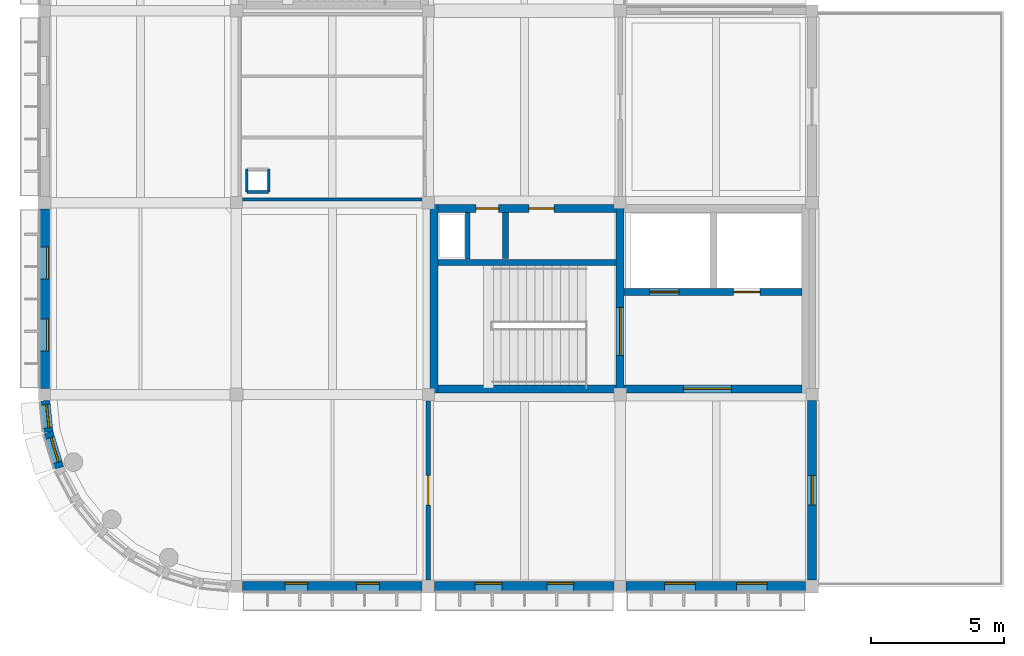
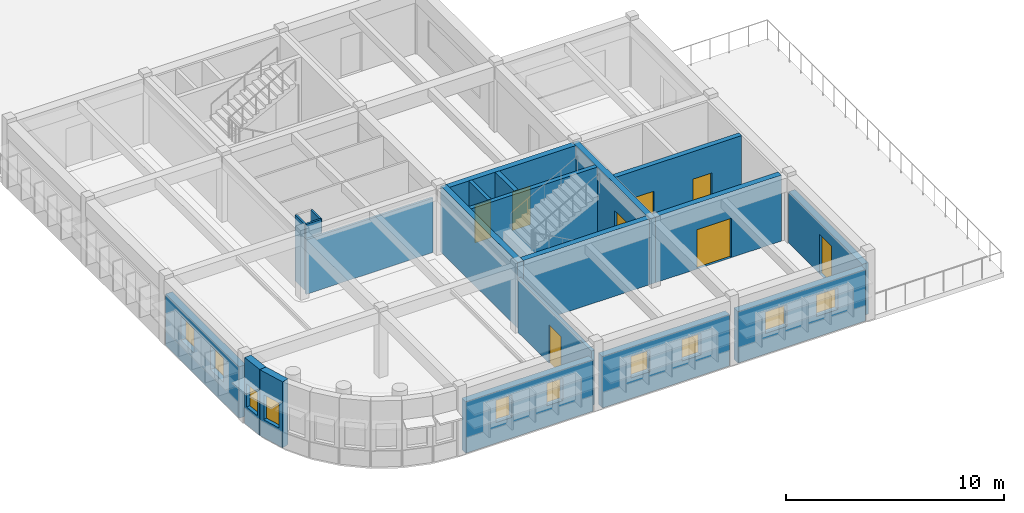
# One storey, part 3 of 7: 21 walls, 10 windows, 8 doors, 18 openings.
"""IFC4 building model written with IfcOpenShell, lengths in metres."""

from ifc_helpers import new_model, si_unit, direction, frame, frame_2d, origin, place, context, subcontext, project, spatial, rectangle, extrude, material, layer, layer_set, type_object, element, fill, save


model = new_model("IFC4")

# Units and contexts
model_context = context("Model", 3, precision=1e-05, world=origin(), true_north=direction((0.0, 1.0)))
body_context = subcontext(model_context, "Body", "Model", "MODEL_VIEW")
ifc_project = project(units=[si_unit("LENGTHUNIT", "METRE"), si_unit("AREAUNIT", "SQUARE_METRE"), si_unit("VOLUMEUNIT", "CUBIC_METRE"), si_unit("PLANEANGLEUNIT", "RADIAN"), si_unit("MASSUNIT", "GRAM", prefix="KILO")], contexts=[model_context])

# Site, building, storey
site_placement = place(None, origin())
site = spatial("IfcSite", under=ifc_project, at=site_placement, CompositionType="ELEMENT")
building_placement = place(site_placement, origin())
building = spatial("IfcBuilding", under=site, at=building_placement, Name="Thalmaran Polytechnic", CompositionType="ELEMENT")
storey_placement = place(building_placement, frame((0.0, 0.0, 30.60009765625)))
storey = spatial("IfcBuildingStorey", under=building, at=storey_placement, Name="L07", CompositionType="ELEMENT", Elevation=30.60009765625)

# Wall, opening, window
ifc_material_1 = material(Name="Precast concrete C40/50", Category="concrete")
ifc_layer_1 = layer(ifc_material_1, 0.360107421875, Name="Precast concrete C40/50")
ifc_layer_set_1 = layer_set([ifc_layer_1], Name="Precast concrete C40/50")
wall_type_1 = type_object("IfcWallType", Name="WL-EW01", PredefinedType="STANDARD", material=ifc_layer_set_1)
wall_1_placement = place(storey_placement, frame((0.548095703125, 4.444580078125, 0.0), z_axis=(0.0, 0.0, 1.0), x_axis=(-0.290218599957, 0.95696037757, 0.0)))
wall_1 = element("IfcWall", 1, at=wall_1_placement, inside=storey, type_object=wall_type_1, Name="Exterior Precast Facade Wall L07-004", PredefinedType="STANDARD", context=body_context, shape_type="SweptSolid", body=[
    extrude(rectangle(XDim=1.41162109375, YDim=0.360107421875, at=frame_2d((0.705810546875, 0.0))), origin(), (0.0, 0.0, 1.0), 3.684814453125),
])
opening_1_placement = place(wall_1_placement, frame((0.2255859375, 0.0, 1.0)))
opening_1 = element("IfcOpeningElement", 2, at=opening_1_placement, cuts=wall_1, Name="Opening CR01", PredefinedType="OPENING", context=body_context, shape_type="SweptSolid", body=[
    extrude(rectangle(XDim=0.9599609375, YDim=1.39990234375, at=frame_2d((0.47998046875, 0.699951171875))), frame((0.0, 0.18994140625, 0.0), z_axis=(0.0, -1.0, 0.0), x_axis=(1.0, 0.0, 0.0)), (0.0, 0.0, 1.0), 0.380126953125),
])
ifc_material_2 = material(Name="Thermally broken aluminium and double low-E glass", Category="aluminium")
window_type_1 = type_object("IfcWindowType", Name="WN-CR01", PartitioningType="SINGLE_PANEL", PredefinedType="WINDOW", material=ifc_material_2)
window_1_placement = place(opening_1_placement, origin())
window_1 = element("IfcWindow", 3, at=window_1_placement, inside=storey, type_object=window_type_1, Name="Curved Prow Ribbon Window W-0767", OverallHeight=1.39990234375, OverallWidth=0.9599609375, PartitioningType="SINGLE_PANEL", PredefinedType="WINDOW", context=body_context, shape_type="SweptSolid", body=[
    extrude(rectangle(XDim=0.9599609375, YDim=1.39990234375, at=frame_2d((0.47998046875, 0.699951171875))), frame((0.0, -0.010009765625, 0.0), z_axis=(0.0, -1.0, 0.0), x_axis=(1.0, 0.0, 0.0)), (0.0, 0.0, 1.0), 0.06005859375),
])
fill(opening_1, window_1)

wall_2_placement = place(storey_placement, frame((0.138427734375, 5.79541015625, 0.0), z_axis=(0.0, 0.0, 1.0), x_axis=(-0.098158901932, 0.995170754178, 0.0)))
wall_2 = element("IfcWall", 4, at=wall_2_placement, inside=storey, type_object=wall_type_1, Name="Exterior Precast Facade Wall L07-005", PredefinedType="STANDARD", context=body_context, shape_type="SweptSolid", body=[
    extrude(rectangle(XDim=1.186279296875, YDim=0.360107421875, at=frame_2d((0.59326171875, 0.0))), origin(), (0.0, 0.0, 1.0), 3.684814453125),
])
opening_2_placement = place(wall_2_placement, frame((0.1533203125, 0.0, 1.0)))
opening_2 = element("IfcOpeningElement", 5, at=opening_2_placement, cuts=wall_2, Name="Opening CR02", PredefinedType="OPENING", context=body_context, shape_type="SweptSolid", body=[
    extrude(rectangle(XDim=0.8798828125, YDim=1.300048828125, at=frame_2d((0.43994140625, 0.64990234375))), frame((0.0, 0.18994140625, 0.0), z_axis=(0.0, -1.0, 0.0), x_axis=(1.0, 0.0, 0.0)), (0.0, 0.0, 1.0), 0.380126953125),
])
window_type_2 = type_object("IfcWindowType", Name="WN-CR02", PartitioningType="SINGLE_PANEL", PredefinedType="WINDOW", material=ifc_material_2)
window_2_placement = place(opening_2_placement, origin())
window_2 = element("IfcWindow", 6, at=window_2_placement, inside=storey, type_object=window_type_2, Name="Curved Prow Ribbon Window W-0768", OverallHeight=1.300048828125, OverallWidth=0.8798828125, PartitioningType="SINGLE_PANEL", PredefinedType="WINDOW", context=body_context, shape_type="SweptSolid", body=[
    extrude(rectangle(XDim=0.8798828125, YDim=1.300048828125, at=frame_2d((0.43994140625, 0.64990234375))), frame((0.0, -0.010009765625, 0.0), z_axis=(0.0, -1.0, 0.0), x_axis=(1.0, 0.0, 0.0)), (0.0, 0.0, 1.0), 0.06005859375),
])
fill(opening_2, window_2)

# Wall, openings, windows
wall_3_placement = place(storey_placement, frame((0.0, 7.425048828125, 0.0), z_axis=(0.0, 0.0, 1.0), x_axis=(0.0, 1.0, 0.0)))
wall_3 = element("IfcWall", 7, at=wall_3_placement, inside=storey, type_object=wall_type_1, Name="Exterior Precast Facade Wall L07-006", PredefinedType="STANDARD", context=body_context, shape_type="SweptSolid", body=[
    extrude(rectangle(XDim=6.73486328125, YDim=0.360107421875, at=frame_2d((3.367431640625, 0.0))), origin(), (0.0, 0.0, 1.0), 2.8798828125),
])
opening_3_placement = place(wall_3_placement, frame((1.42041015625, 0.0, 1.14990234375)))
opening_3 = element("IfcOpeningElement", 8, at=opening_3_placement, cuts=wall_3, Name="Opening PW11", PredefinedType="OPENING", context=body_context, shape_type="SweptSolid", body=[
    extrude(rectangle(XDim=1.199951171875, YDim=1.35009765625, at=frame_2d((0.60009765625, 0.675048828125))), frame((0.0, 0.18994140625, 0.0), z_axis=(0.0, -1.0, 0.0), x_axis=(1.0, 0.0, 0.0)), (0.0, 0.0, 1.0), 0.380126953125),
])
opening_4_placement = place(wall_3_placement, frame((4.114501953125, 0.0, 1.14990234375)))
opening_4 = element("IfcOpeningElement", 9, at=opening_4_placement, cuts=wall_3, Name="Opening PW11", PredefinedType="OPENING", context=body_context, shape_type="SweptSolid", body=[
    extrude(rectangle(XDim=1.199951171875, YDim=1.35009765625, at=frame_2d((0.60009765625, 0.675048828125))), frame((0.0, 0.18994140625, 0.0), z_axis=(0.0, -1.0, 0.0), x_axis=(1.0, 0.0, 0.0)), (0.0, 0.0, 1.0), 0.380126953125),
])
window_type_3 = type_object("IfcWindowType", Name="WN-PW01", PartitioningType="SINGLE_PANEL", PredefinedType="WINDOW", material=ifc_material_2)
window_3_placement = place(opening_3_placement, origin())
window_3 = element("IfcWindow", 10, at=window_3_placement, inside=storey, type_object=window_type_3, Name="Deep-Set Solar-Screened Window W-0769", OverallHeight=1.35009765625, OverallWidth=1.199951171875, PartitioningType="SINGLE_PANEL", PredefinedType="WINDOW", context=body_context, shape_type="SweptSolid", body=[
    extrude(rectangle(XDim=1.199951171875, YDim=1.35009765625, at=frame_2d((0.60009765625, 0.675048828125))), frame((0.0, -0.080078125, 0.0), z_axis=(0.0, -1.0, 0.0), x_axis=(1.0, 0.0, 0.0)), (0.0, 0.0, 1.0), 0.06005859375),
])
fill(opening_3, window_3)
window_4_placement = place(opening_4_placement, origin())
window_4 = element("IfcWindow", 11, at=window_4_placement, inside=storey, type_object=window_type_3, Name="Deep-Set Solar-Screened Window W-0770", OverallHeight=1.35009765625, OverallWidth=1.199951171875, PartitioningType="SINGLE_PANEL", PredefinedType="WINDOW", context=body_context, shape_type="SweptSolid", body=[
    extrude(rectangle(XDim=1.199951171875, YDim=1.35009765625, at=frame_2d((0.60009765625, 0.675048828125))), frame((0.0, -0.080078125, 0.0), z_axis=(0.0, -1.0, 0.0), x_axis=(1.0, 0.0, 0.0)), (0.0, 0.0, 1.0), 0.06005859375),
])
fill(opening_4, window_4)

wall_4_placement = place(storey_placement, frame((28.56005859375, 0.0, 0.0), z_axis=(0.0, 0.0, 1.0), x_axis=(-1.0, 0.0, 0.0)))
wall_4 = element("IfcWall", 12, at=wall_4_placement, inside=storey, type_object=wall_type_1, Name="Exterior Precast Facade Wall L07-017", PredefinedType="STANDARD", context=body_context, shape_type="SweptSolid", body=[
    extrude(rectangle(XDim=6.735107421875, YDim=0.360107421875, at=frame_2d((3.36767578125, 0.0))), origin(), (0.0, 0.0, 1.0), 2.8798828125),
])
opening_5_placement = place(wall_4_placement, frame((1.445556640625, 0.0, 1.14990234375)))
opening_5 = element("IfcOpeningElement", 13, at=opening_5_placement, cuts=wall_4, Name="Opening VW12", PredefinedType="OPENING", context=body_context, shape_type="SweptSolid", body=[
    extrude(rectangle(XDim=1.14990234375, YDim=1.199951171875, at=frame_2d((0.574951171875, 0.60009765625))), frame((0.0, 0.18994140625, 0.0), z_axis=(0.0, -1.0, 0.0), x_axis=(1.0, 0.0, 0.0)), (0.0, 0.0, 1.0), 0.380126953125),
])
opening_6_placement = place(wall_4_placement, frame((4.139404296875, 0.0, 1.14990234375)))
opening_6 = element("IfcOpeningElement", 14, at=opening_6_placement, cuts=wall_4, Name="Opening VW12", PredefinedType="OPENING", context=body_context, shape_type="SweptSolid", body=[
    extrude(rectangle(XDim=1.14990234375, YDim=1.199951171875, at=frame_2d((0.574951171875, 0.60009765625))), frame((0.0, 0.18994140625, 0.0), z_axis=(0.0, -1.0, 0.0), x_axis=(1.0, 0.0, 0.0)), (0.0, 0.0, 1.0), 0.380126953125),
])
window_type_4 = type_object("IfcWindowType", Name="WN-VZ12", PartitioningType="SINGLE_PANEL", PredefinedType="WINDOW", material=ifc_material_2)
window_5_placement = place(opening_5_placement, origin())
window_5 = element("IfcWindow", 15, at=window_5_placement, inside=storey, type_object=window_type_4, Name="Deep-Set Solar-Screened Window W-0777", OverallHeight=1.199951171875, OverallWidth=1.14990234375, PartitioningType="SINGLE_PANEL", PredefinedType="WINDOW", context=body_context, shape_type="SweptSolid", body=[
    extrude(rectangle(XDim=1.14990234375, YDim=1.199951171875, at=frame_2d((0.574951171875, 0.60009765625))), frame((0.0, -0.080078125, 0.0), z_axis=(0.0, -1.0, 0.0), x_axis=(1.0, 0.0, 0.0)), (0.0, 0.0, 1.0), 0.06005859375),
])
fill(opening_5, window_5)
window_6_placement = place(opening_6_placement, origin())
window_6 = element("IfcWindow", 16, at=window_6_placement, inside=storey, type_object=window_type_4, Name="Deep-Set Solar-Screened Window W-0778", OverallHeight=1.199951171875, OverallWidth=1.14990234375, PartitioningType="SINGLE_PANEL", PredefinedType="WINDOW", context=body_context, shape_type="SweptSolid", body=[
    extrude(rectangle(XDim=1.14990234375, YDim=1.199951171875, at=frame_2d((0.574951171875, 0.60009765625))), frame((0.0, -0.080078125, 0.0), z_axis=(0.0, -1.0, 0.0), x_axis=(1.0, 0.0, 0.0)), (0.0, 0.0, 1.0), 0.06005859375),
])
fill(opening_6, window_6)

wall_5_placement = place(storey_placement, frame((21.375, 0.0, 0.0), z_axis=(0.0, 0.0, 1.0), x_axis=(-1.0, 0.0, 0.0)))
wall_5 = element("IfcWall", 17, at=wall_5_placement, inside=storey, type_object=wall_type_1, Name="Exterior Precast Facade Wall L07-018", PredefinedType="STANDARD", context=body_context, shape_type="SweptSolid", body=[
    extrude(rectangle(XDim=6.735107421875, YDim=0.360107421875, at=frame_2d((3.36767578125, 0.0))), origin(), (0.0, 0.0, 1.0), 2.8798828125),
])
opening_7_placement = place(wall_5_placement, frame((1.5205078125, 0.0, 1.14990234375)))
opening_7 = element("IfcOpeningElement", 18, at=opening_7_placement, cuts=wall_5, Name="Opening VW13", PredefinedType="OPENING", context=body_context, shape_type="SweptSolid", body=[
    extrude(rectangle(XDim=1.0, YDim=1.199951171875, at=frame_2d((0.5, 0.60009765625))), frame((0.0, 0.18994140625, 0.0), z_axis=(0.0, -1.0, 0.0), x_axis=(1.0, 0.0, 0.0)), (0.0, 0.0, 1.0), 0.380126953125),
])
opening_8_placement = place(wall_5_placement, frame((4.214599609375, 0.0, 1.14990234375)))
opening_8 = element("IfcOpeningElement", 19, at=opening_8_placement, cuts=wall_5, Name="Opening VW13", PredefinedType="OPENING", context=body_context, shape_type="SweptSolid", body=[
    extrude(rectangle(XDim=1.0, YDim=1.199951171875, at=frame_2d((0.5, 0.60009765625))), frame((0.0, 0.18994140625, 0.0), z_axis=(0.0, -1.0, 0.0), x_axis=(1.0, 0.0, 0.0)), (0.0, 0.0, 1.0), 0.380126953125),
])
window_type_5 = type_object("IfcWindowType", Name="WN-VZ13", PartitioningType="SINGLE_PANEL", PredefinedType="WINDOW", material=ifc_material_2)
window_7_placement = place(opening_7_placement, origin())
window_7 = element("IfcWindow", 20, at=window_7_placement, inside=storey, type_object=window_type_5, Name="Deep-Set Solar-Screened Window W-0779", OverallHeight=1.199951171875, OverallWidth=1.0, PartitioningType="SINGLE_PANEL", PredefinedType="WINDOW", context=body_context, shape_type="SweptSolid", body=[
    extrude(rectangle(XDim=1.0, YDim=1.199951171875, at=frame_2d((0.5, 0.60009765625))), frame((0.0, -0.080078125, 0.0), z_axis=(0.0, -1.0, 0.0), x_axis=(1.0, 0.0, 0.0)), (0.0, 0.0, 1.0), 0.06005859375),
])
fill(opening_7, window_7)
window_8_placement = place(opening_8_placement, origin())
window_8 = element("IfcWindow", 21, at=window_8_placement, inside=storey, type_object=window_type_5, Name="Deep-Set Solar-Screened Window W-0780", OverallHeight=1.199951171875, OverallWidth=1.0, PartitioningType="SINGLE_PANEL", PredefinedType="WINDOW", context=body_context, shape_type="SweptSolid", body=[
    extrude(rectangle(XDim=1.0, YDim=1.199951171875, at=frame_2d((0.5, 0.60009765625))), frame((0.0, -0.080078125, 0.0), z_axis=(0.0, -1.0, 0.0), x_axis=(1.0, 0.0, 0.0)), (0.0, 0.0, 1.0), 0.06005859375),
])
fill(opening_8, window_8)

wall_6_placement = place(storey_placement, frame((14.159912109375, 0.0, 0.0), z_axis=(0.0, 0.0, 1.0), x_axis=(-1.0, 0.0, 0.0)))
wall_6 = element("IfcWall", 22, at=wall_6_placement, inside=storey, type_object=wall_type_1, Name="Exterior Precast Facade Wall L07-019", PredefinedType="STANDARD", context=body_context, shape_type="SweptSolid", body=[
    extrude(rectangle(XDim=6.73486328125, YDim=0.360107421875, at=frame_2d((3.367431640625, 0.0))), origin(), (0.0, 0.0, 1.0), 2.8798828125),
])
opening_9_placement = place(wall_6_placement, frame((1.595458984375, 0.0, 1.14990234375)))
opening_9 = element("IfcOpeningElement", 23, at=opening_9_placement, cuts=wall_6, Name="Opening VW14", PredefinedType="OPENING", context=body_context, shape_type="SweptSolid", body=[
    extrude(rectangle(XDim=0.85009765625, YDim=1.25, at=frame_2d((0.425048828125, 0.625))), frame((0.0, 0.18994140625, 0.0), z_axis=(0.0, -1.0, 0.0), x_axis=(1.0, 0.0, 0.0)), (0.0, 0.0, 1.0), 0.380126953125),
])
opening_10_placement = place(wall_6_placement, frame((4.28955078125, 0.0, 1.14990234375)))
opening_10 = element("IfcOpeningElement", 24, at=opening_10_placement, cuts=wall_6, Name="Opening VW14", PredefinedType="OPENING", context=body_context, shape_type="SweptSolid", body=[
    extrude(rectangle(XDim=0.85009765625, YDim=1.25, at=frame_2d((0.425048828125, 0.625))), frame((0.0, 0.18994140625, 0.0), z_axis=(0.0, -1.0, 0.0), x_axis=(1.0, 0.0, 0.0)), (0.0, 0.0, 1.0), 0.380126953125),
])
window_type_6 = type_object("IfcWindowType", Name="WN-VZ14", PartitioningType="SINGLE_PANEL", PredefinedType="WINDOW", material=ifc_material_2)
window_9_placement = place(opening_9_placement, origin())
window_9 = element("IfcWindow", 25, at=window_9_placement, inside=storey, type_object=window_type_6, Name="Deep-Set Solar-Screened Window W-0781", OverallHeight=1.25, OverallWidth=0.85009765625, PartitioningType="SINGLE_PANEL", PredefinedType="WINDOW", context=body_context, shape_type="SweptSolid", body=[
    extrude(rectangle(XDim=0.85009765625, YDim=1.25, at=frame_2d((0.425048828125, 0.625))), frame((0.0, -0.080078125, 0.0), z_axis=(0.0, -1.0, 0.0), x_axis=(1.0, 0.0, 0.0)), (0.0, 0.0, 1.0), 0.06005859375),
])
fill(opening_9, window_9)
window_10_placement = place(opening_10_placement, origin())
window_10 = element("IfcWindow", 26, at=window_10_placement, inside=storey, type_object=window_type_6, Name="Deep-Set Solar-Screened Window W-0782", OverallHeight=1.25, OverallWidth=0.85009765625, PartitioningType="SINGLE_PANEL", PredefinedType="WINDOW", context=body_context, shape_type="SweptSolid", body=[
    extrude(rectangle(XDim=0.85009765625, YDim=1.25, at=frame_2d((0.425048828125, 0.625))), frame((0.0, -0.080078125, 0.0), z_axis=(0.0, -1.0, 0.0), x_axis=(1.0, 0.0, 0.0)), (0.0, 0.0, 1.0), 0.06005859375),
])
fill(opening_10, window_10)

# Wall, opening, door
ifc_layer_2 = layer(ifc_material_1, 0.330078125, Name="Precast concrete C40/50")
ifc_layer_set_2 = layer_set([ifc_layer_2], Name="Precast concrete C40/50")
wall_type_2 = type_object("IfcWallType", Name="WL-EW02", PredefinedType="STANDARD", material=ifc_layer_set_2)
wall_7_placement = place(storey_placement, frame((28.800048828125, 6.97509765625, 0.0), z_axis=(0.0, 0.0, 1.0), x_axis=(0.0, -1.0, 0.0)))
wall_7 = element("IfcWall", 27, at=wall_7_placement, inside=storey, type_object=wall_type_2, Name="Terrace Access Wall L07-016", PredefinedType="STANDARD", context=body_context, shape_type="SweptSolid", body=[
    extrude(rectangle(XDim=6.735107421875, YDim=0.330078125, at=frame_2d((3.36767578125, 0.0))), origin(), (0.0, 0.0, 1.0), 2.8798828125),
])
opening_11_placement = place(wall_7_placement, frame((2.8173828125, 0.0, 0.0)))
opening_11 = element("IfcOpeningElement", 28, at=opening_11_placement, cuts=wall_7, Name="Opening TD-024", PredefinedType="OPENING", context=body_context, shape_type="SweptSolid", body=[
    extrude(rectangle(XDim=1.10009765625, YDim=2.199951171875, at=frame_2d((0.550048828125, 1.10009765625))), frame((0.0, 0.175048828125, 0.0), z_axis=(0.0, -1.0, 0.0), x_axis=(1.0, 0.0, 0.0)), (0.0, 0.0, 1.0), 0.35009765625),
])
ifc_material_3 = material(Name="Anodised aluminium and safety glass", Category="aluminium")
door_type_1 = type_object("IfcDoorType", Name="DR-TD02", OperationType="NOTDEFINED", PredefinedType="DOOR", material=ifc_material_3)
door_1_placement = place(opening_11_placement, origin())
door_1 = element("IfcDoor", 29, at=door_1_placement, inside=storey, type_object=door_type_1, Name="Terrace Access Door TD-024", OperationType="SINGLE_SWING_RIGHT", OverallHeight=2.199951171875, OverallWidth=1.10009765625, PredefinedType="DOOR", context=body_context, shape_type="SweptSolid", body=[
    extrude(rectangle(XDim=1.10009765625, YDim=2.199951171875, at=frame_2d((0.550048828125, 1.10009765625))), frame((0.0, 0.02490234375, 0.0), z_axis=(0.0, -1.0, 0.0), x_axis=(1.0, 0.0, 0.0)), (0.0, 0.0, 1.0), 0.050048828125),
])
fill(opening_11, door_1)

# Walls
ifc_material_4 = material(Name="Autoclaved aerated masonry", Category="masonry")
ifc_layer_3 = layer(ifc_material_4, 0.22998046875, Name="Autoclaved aerated masonry")
ifc_layer_set_3 = layer_set([ifc_layer_3], Name="Autoclaved aerated masonry")
wall_type_3 = type_object("IfcWallType", Name="WL-IW02", PredefinedType="PARTITIONING", material=ifc_layer_set_3)
wall_8_placement = place(storey_placement, frame((17.300048828125, 12.300048828125, 0.0), z_axis=(0.0, 0.0, 1.0), x_axis=(0.0, 1.0, 0.0)))
element("IfcWall", 30, at=wall_8_placement, inside=storey, type_object=wall_type_3, Name="Core C1 Riser Partition L07", PredefinedType="PARTITIONING", context=body_context, shape_type="SweptSolid", body=[
    extrude(rectangle(XDim=1.739990234375, YDim=0.22998046875, at=frame_2d((0.8701171875, 0.0))), origin(), (0.0, 0.0, 1.0), 3.684814453125),
])
ifc_layer_4 = layer(ifc_material_4, 0.179931640625, Name="Autoclaved aerated masonry")
ifc_layer_set_4 = layer_set([ifc_layer_4], Name="Autoclaved aerated masonry")
wall_type_4 = type_object("IfcWallType", Name="WL-IW04", PredefinedType="PARTITIONING", material=ifc_layer_set_4)
wall_9_placement = place(storey_placement, frame((15.8798828125, 12.280029296875, 0.0), z_axis=(0.0, 0.0, 1.0), x_axis=(0.0, 1.0, 0.0)))
element("IfcWall", 31, at=wall_9_placement, inside=storey, type_object=wall_type_4, Name="Core C1 Riser Shaft Enclosure Wall L07", PredefinedType="PARTITIONING", context=body_context, shape_type="SweptSolid", body=[
    extrude(rectangle(XDim=1.760009765625, YDim=0.179931640625, at=frame_2d((0.8798828125, 0.0))), origin(), (0.0, 0.0, 1.0), 3.684814453125),
])

# Wall, opening, door
ifc_material_5 = material(Name="Gypsum acoustic partition")
ifc_layer_5 = layer(ifc_material_5, 0.159912109375, Name="Gypsum acoustic partition")
ifc_layer_set_5 = layer_set([ifc_layer_5], Name="Gypsum acoustic partition")
wall_type_5 = type_object("IfcWallType", Name="WL-IW05", PredefinedType="PARTITIONING", material=ifc_layer_set_5)
wall_10_placement = place(storey_placement, frame((14.39990234375, 0.2451171875, 0.0), z_axis=(0.0, 0.0, 1.0), x_axis=(0.0, 1.0, 0.0)))
wall_10 = element("IfcWall", 32, at=wall_10_placement, inside=storey, type_object=wall_type_5, Name="Interior Partition IW05 L07-001", PredefinedType="PARTITIONING", context=body_context, shape_type="SweptSolid", body=[
    extrude(rectangle(XDim=6.724853515625, YDim=0.159912109375, at=frame_2d((3.3623046875, 0.0))), origin(), (0.0, 0.0, 1.0), 3.0498046875),
])
opening_12_placement = place(wall_10_placement, frame((2.8125, 0.0, 0.0)))
opening_12 = element("IfcOpeningElement", 33, at=opening_12_placement, cuts=wall_10, Name="Opening D-L07-001-1-01-1", PredefinedType="OPENING", context=body_context, shape_type="SweptSolid", body=[
    extrude(rectangle(XDim=1.10009765625, YDim=2.14990234375, at=frame_2d((0.550048828125, 1.074951171875))), frame((0.0, 0.08984375, 0.0), z_axis=(0.0, -1.0, 0.0), x_axis=(1.0, 0.0, 0.0)), (0.0, 0.0, 1.0), 0.179931640625),
])
ifc_material_6 = material(Name="Powder-coated fire-rated steel", Category="steel")
door_type_2 = type_object("IfcDoorType", Name="DR-FD07", OperationType="NOTDEFINED", PredefinedType="DOOR", material=ifc_material_6)
door_2_placement = place(opening_12_placement, origin())
door_2 = element("IfcDoor", 34, at=door_2_placement, inside=storey, type_object=door_type_2, Name="Academic Department Suite L07-01 Door 1", OperationType="SINGLE_SWING_RIGHT", OverallHeight=2.14990234375, OverallWidth=1.10009765625, PredefinedType="DOOR", context=body_context, shape_type="SweptSolid", body=[
    extrude(rectangle(XDim=1.10009765625, YDim=2.14990234375, at=frame_2d((0.550048828125, 1.074951171875))), frame((0.0, 0.02490234375, 0.0), z_axis=(0.0, -1.0, 0.0), x_axis=(1.0, 0.0, 0.0)), (0.0, 0.0, 1.0), 0.050048828125),
])
fill(opening_12, door_2)

# Walls
ifc_layer_6 = layer(ifc_material_5, 0.114990234375, Name="Gypsum acoustic partition")
ifc_layer_set_6 = layer_set([ifc_layer_6], Name="Gypsum acoustic partition")
wall_type_6 = type_object("IfcWallType", Name="WL-IW08", PredefinedType="PARTITIONING", material=ifc_layer_set_6)
wall_11_placement = place(storey_placement, frame((7.429931640625, 14.52001953125, 0.0), z_axis=(0.0, 0.0, 1.0), x_axis=(1.0, 0.0, 0.0)))
element("IfcWall", 35, at=wall_11_placement, inside=storey, type_object=wall_type_6, Name="Sanitary Core Wall L07-W1-S", PredefinedType="PARTITIONING", context=body_context, shape_type="SweptSolid", body=[
    extrude(rectangle(XDim=6.72509765625, YDim=0.114990234375, at=frame_2d((3.362548828125, 0.0))), origin(), (0.0, 0.0, 1.0), 3.044921875),
])
ifc_material_7 = material(Name="Moisture-resistant partition")
ifc_layer_7 = layer(ifc_material_7, 0.10009765625, Name="Moisture-resistant partition")
ifc_layer_set_7 = layer_set([ifc_layer_7], Name="Moisture-resistant partition")
wall_type_7 = type_object("IfcWallType", Name="WL-IW09", PredefinedType="PARTITIONING", material=ifc_layer_set_7)
wall_12_placement = place(storey_placement, frame((7.590087890625, 14.800048828125, 0.0), z_axis=(0.0, 0.0, 1.0), x_axis=(1.0, 0.0, 0.0)))
element("IfcWall", 36, at=wall_12_placement, inside=storey, type_object=wall_type_7, Name="Plumbing Riser Chase Wall L07-W1-S", PredefinedType="PARTITIONING", context=body_context, shape_type="SweptSolid", body=[
    extrude(rectangle(XDim=0.81982421875, YDim=0.10009765625, at=frame_2d((0.409912109375, 0.0))), origin(), (0.0, 0.0, 1.0), 3.684814453125),
])
for number, where, z_axis, x_axis, name in (
    (37, (8.409912109375, 14.800048828125, 0.0), (0.0, 0.0, 1.0), (0.0, 1.0, 0.0), "Plumbing Riser Chase Wall L07-W1-E"),
    (38, (7.590087890625, 15.659912109375, 0.0), (0.0, 0.0, 1.0), (0.0, -1.0, 0.0), "Plumbing Riser Chase Wall L07-W1-W"),
):
    element("IfcWall", number, at=place(storey_placement, frame(where, z_axis=z_axis, x_axis=x_axis)), inside=storey, type_object=wall_type_7, Name=name, PredefinedType="PARTITIONING", context=body_context, shape_type="SweptSolid", body=[
        extrude(rectangle(XDim=0.85986328125, YDim=0.10009765625, at=frame_2d((0.429931640625, 0.0))), origin(), (0.0, 0.0, 1.0), 3.684814453125),
    ])
ifc_material_8 = material(Name="Concrete C50/60", Category="concrete")
ifc_layer_8 = layer(ifc_material_8, 0.300048828125, Name="Concrete C50/60")
ifc_layer_set_8 = layer_set([ifc_layer_8], Name="Concrete C50/60")
wall_type_8 = type_object("IfcWallType", Name="WL-SW04", PredefinedType="SHEAR", material=ifc_layer_set_8)
wall_13_placement = place(storey_placement, frame((14.77001953125, 7.419921875, 0.0), z_axis=(0.0, 0.0, 1.0), x_axis=(1.0, 0.0, 0.0)))
element("IfcWall", 39, at=wall_13_placement, inside=storey, type_object=wall_type_8, Name="Core C1 South Shear Wall L07", PredefinedType="SHEAR", context=body_context, shape_type="SweptSolid", body=[
    extrude(rectangle(XDim=6.679931640625, YDim=0.300048828125, at=frame_2d((3.33984375, 0.0))), origin(), (0.0, 0.0, 1.0), 3.684814453125),
])
wall_14_placement = place(storey_placement, frame((14.6201171875, 14.330078125, 0.0), z_axis=(0.0, 0.0, 1.0), x_axis=(0.0, -1.0, 0.0)))
element("IfcWall", 40, at=wall_14_placement, inside=storey, type_object=wall_type_8, Name="Core C1 West Shear Wall L07", PredefinedType="SHEAR", context=body_context, shape_type="SweptSolid", body=[
    extrude(rectangle(XDim=7.06005859375, YDim=0.300048828125, at=frame_2d((3.530029296875, 0.0))), origin(), (0.0, 0.0, 1.0), 3.684814453125),
])

# Wall, openings, doors
wall_15_placement = place(storey_placement, frame((14.77001953125, 14.179931640625, 0.0), z_axis=(0.0, 0.0, 1.0), x_axis=(1.0, 0.0, 0.0)))
wall_15 = element("IfcWall", 41, at=wall_15_placement, inside=storey, type_object=wall_type_8, Name="Core C1 North Shear Wall L07", PredefinedType="SHEAR", context=body_context, shape_type="SweptSolid", body=[
    extrude(rectangle(XDim=6.679931640625, YDim=0.300048828125, at=frame_2d((3.33984375, 0.0))), origin(), (0.0, 0.0, 1.0), 3.684814453125),
])
opening_13_placement = place(wall_15_placement, frame((1.419921875, 0.0, 0.0)))
opening_13 = element("IfcOpeningElement", 42, at=opening_13_placement, cuts=wall_15, Name="Opening DR-C1-L07-R", PredefinedType="OPENING", context=body_context, shape_type="SweptSolid", body=[
    extrude(rectangle(XDim=0.85009765625, YDim=2.10009765625, at=frame_2d((0.425048828125, 1.050048828125))), frame((0.0, 0.159912109375, 0.0), z_axis=(0.0, -1.0, 0.0), x_axis=(1.0, 0.0, 0.0)), (0.0, 0.0, 1.0), 0.320068359375),
])
opening_14_placement = place(wall_15_placement, frame((3.39990234375, 0.0, 0.0)))
opening_14 = element("IfcOpeningElement", 43, at=opening_14_placement, cuts=wall_15, Name="Opening ED-C1-L07-E", PredefinedType="OPENING", context=body_context, shape_type="SweptSolid", body=[
    extrude(rectangle(XDim=0.949951171875, YDim=2.14990234375, at=frame_2d((0.47509765625, 1.074951171875))), frame((0.0, 0.159912109375, 0.0), z_axis=(0.0, -1.0, 0.0), x_axis=(1.0, 0.0, 0.0)), (0.0, 0.0, 1.0), 0.320068359375),
])
door_type_3 = type_object("IfcDoorType", Name="DR-FD08", OperationType="NOTDEFINED", PredefinedType="DOOR", material=ifc_material_6)
door_3_placement = place(opening_14_placement, origin())
door_3 = element("IfcDoor", 44, at=door_3_placement, inside=storey, type_object=door_type_3, Name="Electrical Riser Door C1 L07", OperationType="SINGLE_SWING_LEFT", OverallHeight=2.14990234375, OverallWidth=0.949951171875, PredefinedType="DOOR", context=body_context, shape_type="SweptSolid", body=[
    extrude(rectangle(XDim=0.949951171875, YDim=2.14990234375, at=frame_2d((0.47509765625, 1.074951171875))), frame((0.0, 0.02490234375, 0.0), z_axis=(0.0, -1.0, 0.0), x_axis=(1.0, 0.0, 0.0)), (0.0, 0.0, 1.0), 0.050048828125),
])
fill(opening_14, door_3)
door_type_4 = type_object("IfcDoorType", Name="DR-FD09", OperationType="NOTDEFINED", PredefinedType="DOOR", material=ifc_material_6)
door_4_placement = place(opening_13_placement, origin())
door_4 = element("IfcDoor", 45, at=door_4_placement, inside=storey, type_object=door_type_4, Name="Riser Access Fire Door C1 L07", OperationType="SINGLE_SWING_LEFT", OverallHeight=2.10009765625, OverallWidth=0.85009765625, PredefinedType="DOOR", context=body_context, shape_type="SweptSolid", body=[
    extrude(rectangle(XDim=0.85009765625, YDim=2.10009765625, at=frame_2d((0.425048828125, 1.050048828125))), frame((0.0, 0.02490234375, 0.0), z_axis=(0.0, -1.0, 0.0), x_axis=(1.0, 0.0, 0.0)), (0.0, 0.0, 1.0), 0.050048828125),
])
fill(opening_13, door_4)

# Wall
wall_16_placement = place(storey_placement, frame((14.77001953125, 12.159912109375, 0.0), z_axis=(0.0, 0.0, 1.0), x_axis=(1.0, 0.0, 0.0)))
element("IfcWall", 46, at=wall_16_placement, inside=storey, type_object=wall_type_8, Name="Core C1 Stair Partition L07", PredefinedType="SHEAR", context=body_context, shape_type="SweptSolid", body=[
    extrude(rectangle(XDim=6.679931640625, YDim=0.219970703125, at=frame_2d((3.33984375, 0.0))), origin(), (0.0, 0.0, 1.0), 3.684814453125),
])

# Wall, opening, door
wall_17_placement = place(storey_placement, frame((21.60009765625, 7.27001953125, 0.0), z_axis=(0.0, 0.0, 1.0), x_axis=(0.0, 1.0, 0.0)))
wall_17 = element("IfcWall", 47, at=wall_17_placement, inside=storey, type_object=wall_type_8, Name="Core C1 Stair-Lobby Dividing Shear Wall L07", PredefinedType="SHEAR", context=body_context, shape_type="SweptSolid", body=[
    extrude(rectangle(XDim=7.06005859375, YDim=0.300048828125, at=frame_2d((3.530029296875, 0.0))), origin(), (0.0, 0.0, 1.0), 3.684814453125),
])
opening_15_placement = place(wall_17_placement, frame((1.39990234375, 0.0, 0.0)))
opening_15 = element("IfcOpeningElement", 48, at=opening_15_placement, cuts=wall_17, Name="Opening SD-ST1-L07", PredefinedType="OPENING", context=body_context, shape_type="SweptSolid", body=[
    extrude(rectangle(XDim=1.800048828125, YDim=2.199951171875, at=frame_2d((0.89990234375, 1.10009765625))), frame((0.0, 0.159912109375, 0.0), z_axis=(0.0, -1.0, 0.0), x_axis=(1.0, 0.0, 0.0)), (0.0, 0.0, 1.0), 0.320068359375),
])
door_type_5 = type_object("IfcDoorType", Name="DR-FD03", OperationType="NOTDEFINED", PredefinedType="DOOR", material=ifc_material_6)
door_5_placement = place(opening_15_placement, origin())
door_5 = element("IfcDoor", 49, at=door_5_placement, inside=storey, type_object=door_type_5, Name="Firefighting Lobby to Exit Stair Door ST1 L07", OperationType="SINGLE_SWING_RIGHT", OverallHeight=2.199951171875, OverallWidth=1.800048828125, PredefinedType="DOOR", context=body_context, shape_type="SweptSolid", body=[
    extrude(rectangle(XDim=1.800048828125, YDim=2.199951171875, at=frame_2d((0.89990234375, 1.10009765625))), frame((0.0, 0.02490234375, 0.0), z_axis=(0.0, -1.0, 0.0), x_axis=(1.0, 0.0, 0.0)), (0.0, 0.0, 1.0), 0.050048828125),
])
fill(opening_15, door_5)

wall_18_placement = place(storey_placement, frame((21.75, 7.419921875, 0.0), z_axis=(0.0, 0.0, 1.0), x_axis=(1.0, 0.0, 0.0)))
wall_18 = element("IfcWall", 50, at=wall_18_placement, inside=storey, type_object=wall_type_8, Name="Core C1 Lobby South Wall L07", PredefinedType="SHEAR", context=body_context, shape_type="SweptSolid", body=[
    extrude(rectangle(XDim=6.679931640625, YDim=0.300048828125, at=frame_2d((3.33984375, 0.0))), origin(), (0.0, 0.0, 1.0), 3.684814453125),
])
opening_16_placement = place(wall_18_placement, frame((2.219970703125, 0.0, 0.0)))
opening_16 = element("IfcOpeningElement", 51, at=opening_16_placement, cuts=wall_18, Name="Opening FD-C1-L07", PredefinedType="OPENING", context=body_context, shape_type="SweptSolid", body=[
    extrude(rectangle(XDim=1.800048828125, YDim=2.199951171875, at=frame_2d((0.89990234375, 1.10009765625))), frame((0.0, 0.159912109375, 0.0), z_axis=(0.0, -1.0, 0.0), x_axis=(1.0, 0.0, 0.0)), (0.0, 0.0, 1.0), 0.320068359375),
])
door_type_6 = type_object("IfcDoorType", Name="DR-FD01", OperationType="NOTDEFINED", PredefinedType="DOOR", material=ifc_material_6)
door_6_placement = place(opening_16_placement, origin())
door_6 = element("IfcDoor", 52, at=door_6_placement, inside=storey, type_object=door_type_6, Name="Firefighting Lift Lobby Entrance Door C1 L07", OperationType="DOUBLE_DOOR_SINGLE_SWING", OverallHeight=2.199951171875, OverallWidth=1.800048828125, PredefinedType="DOOR", context=body_context, shape_type="SweptSolid", body=[
    extrude(rectangle(XDim=1.800048828125, YDim=2.199951171875, at=frame_2d((0.89990234375, 1.10009765625))), frame((0.0, 0.02490234375, 0.0), z_axis=(0.0, -1.0, 0.0), x_axis=(1.0, 0.0, 0.0)), (0.0, 0.0, 1.0), 0.050048828125),
])
fill(opening_16, door_6)

# Wall, openings, doors
wall_19_placement = place(storey_placement, frame((21.75, 11.050048828125, 0.0), z_axis=(0.0, 0.0, 1.0), x_axis=(1.0, 0.0, 0.0)))
wall_19 = element("IfcWall", 53, at=wall_19_placement, inside=storey, type_object=wall_type_8, Name="Core C1 Lift Landing Front Wall L07", PredefinedType="SHEAR", context=body_context, shape_type="SweptSolid", body=[
    extrude(rectangle(XDim=6.679931640625, YDim=0.260009765625, at=frame_2d((3.33984375, 0.0))), origin(), (0.0, 0.0, 1.0), 3.684814453125),
])
opening_17_placement = place(wall_19_placement, frame((0.949951171875, 0.0, 0.0)))
opening_17 = element("IfcOpeningElement", 54, at=opening_17_placement, cuts=wall_19, Name="Opening LD-FL-01-L07", PredefinedType="OPENING", context=body_context, shape_type="SweptSolid", body=[
    extrude(rectangle(XDim=1.10009765625, YDim=2.199951171875, at=frame_2d((0.550048828125, 1.10009765625))), frame((0.0, 0.139892578125, 0.0), z_axis=(0.0, -1.0, 0.0), x_axis=(1.0, 0.0, 0.0)), (0.0, 0.0, 1.0), 0.280029296875),
])
opening_18_placement = place(wall_19_placement, frame((4.10009765625, 0.0, 0.0)))
opening_18 = element("IfcOpeningElement", 55, at=opening_18_placement, cuts=wall_19, Name="Opening LD-PL-01-L07", PredefinedType="OPENING", context=body_context, shape_type="SweptSolid", body=[
    extrude(rectangle(XDim=1.0, YDim=2.14990234375, at=frame_2d((0.5, 1.074951171875))), frame((0.0, 0.139892578125, 0.0), z_axis=(0.0, -1.0, 0.0), x_axis=(1.0, 0.0, 0.0)), (0.0, 0.0, 1.0), 0.280029296875),
])
ifc_material_9 = material(Name="Brushed stainless steel lift door", Category="steel")
door_type_7 = type_object("IfcDoorType", Name="DR-LD01", OperationType="NOTDEFINED", PredefinedType="DOOR", material=ifc_material_9)
door_7_placement = place(opening_17_placement, origin())
door_7 = element("IfcDoor", 56, at=door_7_placement, inside=storey, type_object=door_type_7, Name="Lift Landing Door FL-01 L07", OperationType="SLIDING_TO_LEFT", OverallHeight=2.199951171875, OverallWidth=1.10009765625, PredefinedType="DOOR", context=body_context, shape_type="SweptSolid", body=[
    extrude(rectangle(XDim=1.10009765625, YDim=2.199951171875, at=frame_2d((0.550048828125, 1.10009765625))), frame((0.0, 0.02490234375, 0.0), z_axis=(0.0, -1.0, 0.0), x_axis=(1.0, 0.0, 0.0)), (0.0, 0.0, 1.0), 0.050048828125),
])
fill(opening_17, door_7)
door_type_8 = type_object("IfcDoorType", Name="DR-LD02", OperationType="NOTDEFINED", PredefinedType="DOOR", material=ifc_material_9)
door_8_placement = place(opening_18_placement, origin())
door_8 = element("IfcDoor", 57, at=door_8_placement, inside=storey, type_object=door_type_8, Name="Lift Landing Door PL-01 L07", OperationType="SLIDING_TO_RIGHT", OverallHeight=2.14990234375, OverallWidth=1.0, PredefinedType="DOOR", context=body_context, shape_type="SweptSolid", body=[
    extrude(rectangle(XDim=1.0, YDim=2.14990234375, at=frame_2d((0.5, 1.074951171875))), frame((0.0, 0.02490234375, 0.0), z_axis=(0.0, -1.0, 0.0), x_axis=(1.0, 0.0, 0.0)), (0.0, 0.0, 1.0), 0.050048828125),
])
fill(opening_18, door_8)

save(model, "model.ifc")
